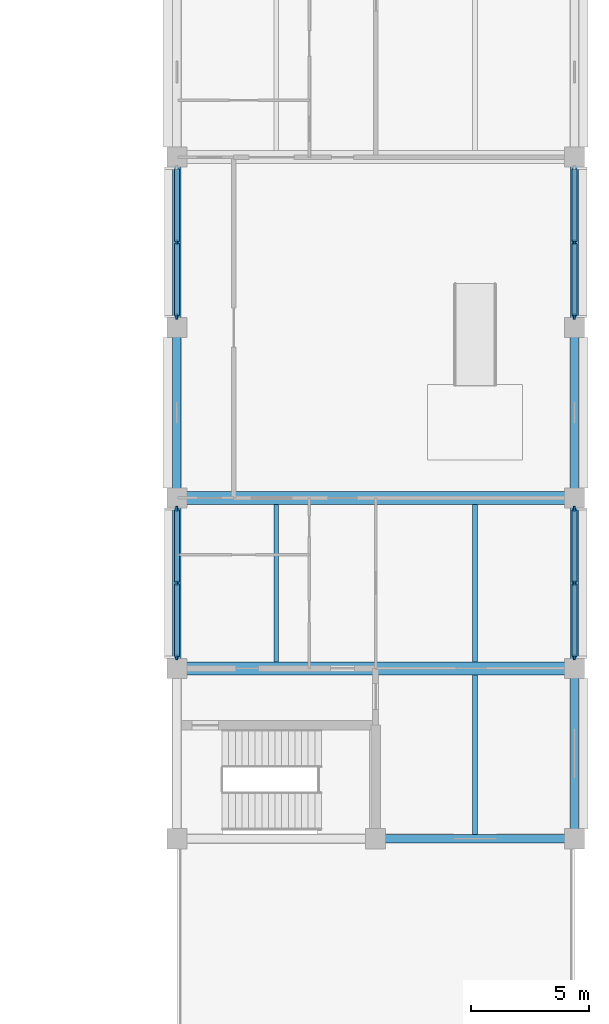
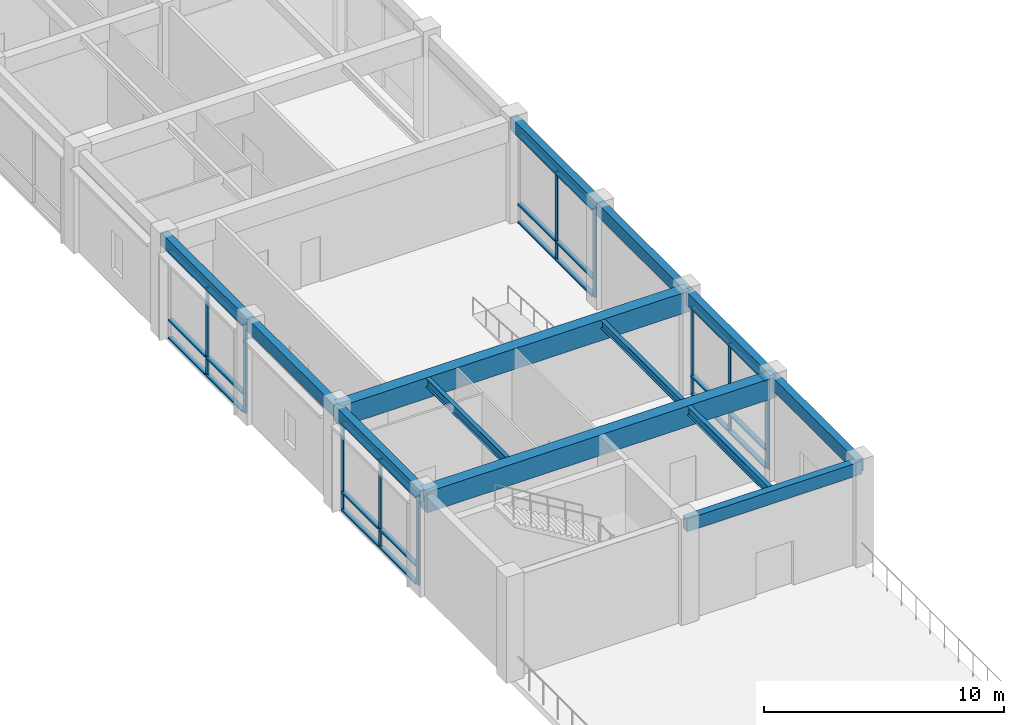
# One storey, part 11 of 51: 34 members, 13 beams, 4 elements without a shape of their own.
"""IFC4 building model written with IfcOpenShell, lengths in metres."""

from ifc_helpers import new_model, si_unit, direction, frame, origin, origin_2d, place, context, subcontext, project, spatial, rectangle, i_section, extrude, material, layer, layer_set, material_profile, profile_set, type_object, element, aggregate, save


model = new_model("IFC4")

# Units and contexts
model_context = context("Model", 3, precision=1e-05, world=origin(), true_north=direction((0.0, 1.0)))
body_context = subcontext(model_context, "Body", "Model", "MODEL_VIEW")
ifc_project = project(units=[si_unit("LENGTHUNIT", "METRE"), si_unit("AREAUNIT", "SQUARE_METRE"), si_unit("VOLUMEUNIT", "CUBIC_METRE"), si_unit("PLANEANGLEUNIT", "RADIAN"), si_unit("MASSUNIT", "GRAM", prefix="KILO")], contexts=[model_context])

# Site, building, storey
site_placement = place(None, origin())
site = spatial("IfcSite", under=ifc_project, at=site_placement, CompositionType="ELEMENT")
building_placement = place(site_placement, origin())
building = spatial("IfcBuilding", under=site, at=building_placement, Name="Chengyuan Square Courthouse", CompositionType="ELEMENT")
storey_placement = place(building_placement, frame((0.0, 0.0, 10.800048828125)))
storey = spatial("IfcBuildingStorey", under=building, at=storey_placement, Name="L03", CompositionType="ELEMENT", Elevation=10.800048828125)

# Beams
ifc_material_1 = material(Name="Concrete C40", Category="concrete")
ifc_material_profile_1 = material_profile(ifc_material_1, rectangle(XDim=0.35009765625, YDim=0.64990234375, at=origin_2d()), Name="RC-BM-350x650")
ifc_profile_set_1 = profile_set([ifc_material_profile_1], Name="Concrete C40")
beam_type_1 = type_object("IfcBeamType", Name="BM-03", PredefinedType="SPANDREL", material=ifc_profile_set_1)
beam_1_placement = place(storey_placement, frame((159.60009765625, 36.0, 4.794921875), z_axis=(1.0, 0.0, 0.0), x_axis=(0.0, 1.0, 0.0)))
element("IfcBeam", 1, at=beam_1_placement, inside=storey, type_object=beam_type_1, Name="Girder BM-L03-2511", PredefinedType="SPANDREL", context=body_context, shape_type="SweptSolid", body=[
    extrude(rectangle(XDim=0.35009765625, YDim=0.64990234375, at=origin_2d()), origin(), (0.0, 0.0, 1.0), 8.39990234375),
])
beam_2_placement = place(storey_placement, frame((151.199951171875, 43.199951171875, 4.794921875), z_axis=(0.0, 1.0, 0.0), x_axis=(-1.0, 0.0, 0.0)))
element("IfcBeam", 2, at=beam_2_placement, inside=storey, type_object=beam_type_1, Name="Girder BM-L03-2730", PredefinedType="SPANDREL", context=body_context, shape_type="SweptSolid", body=[
    extrude(rectangle(XDim=0.35009765625, YDim=0.64990234375, at=origin_2d()), origin(), (0.0, 0.0, 1.0), 7.199951171875),
])
beam_3_placement = place(storey_placement, frame((151.199951171875, 50.39990234375, 4.794921875), z_axis=(0.0, 1.0, 0.0), x_axis=(-1.0, 0.0, 0.0)))
element("IfcBeam", 3, at=beam_3_placement, inside=storey, type_object=beam_type_1, Name="Girder BM-L03-2731", PredefinedType="SPANDREL", context=body_context, shape_type="SweptSolid", body=[
    extrude(rectangle(XDim=0.35009765625, YDim=0.64990234375, at=origin_2d()), origin(), (0.0, 0.0, 1.0), 7.2001953125),
])
for number, where, z_axis, x_axis, name in (
    (4, (151.199951171875, 57.60009765625, 4.794921875), (0.0, 1.0, 0.0), (-1.0, 0.0, 0.0), "Girder BM-L03-2732"),
    (5, (168.0, 36.0, 4.794921875), (0.0, 1.0, 0.0), (-1.0, 0.0, 0.0), "Girder BM-L03-2743"),
    (6, (168.0, 43.199951171875, 4.794921875), (0.0, 1.0, 0.0), (-1.0, 0.0, 0.0), "Girder BM-L03-2744"),
):
    element("IfcBeam", number, at=place(storey_placement, frame(where, z_axis=z_axis, x_axis=x_axis)), inside=storey, type_object=beam_type_1, Name=name, PredefinedType="SPANDREL", context=body_context, shape_type="SweptSolid", body=[
        extrude(rectangle(XDim=0.35009765625, YDim=0.64990234375, at=origin_2d()), origin(), (0.0, 0.0, 1.0), 7.199951171875),
    ])
beam_4_placement = place(storey_placement, frame((168.0, 50.39990234375, 4.794921875), z_axis=(0.0, 1.0, 0.0), x_axis=(-1.0, 0.0, 0.0)))
element("IfcBeam", 7, at=beam_4_placement, inside=storey, type_object=beam_type_1, Name="Girder BM-L03-2745", PredefinedType="SPANDREL", context=body_context, shape_type="SweptSolid", body=[
    extrude(rectangle(XDim=0.35009765625, YDim=0.64990234375, at=origin_2d()), origin(), (0.0, 0.0, 1.0), 7.2001953125),
])
beam_5_placement = place(storey_placement, frame((168.0, 57.60009765625, 4.794921875), z_axis=(0.0, 1.0, 0.0), x_axis=(-1.0, 0.0, 0.0)))
element("IfcBeam", 8, at=beam_5_placement, inside=storey, type_object=beam_type_1, Name="Girder BM-L03-2746", PredefinedType="SPANDREL", context=body_context, shape_type="SweptSolid", body=[
    extrude(rectangle(XDim=0.35009765625, YDim=0.64990234375, at=origin_2d()), origin(), (0.0, 0.0, 1.0), 7.199951171875),
])
ifc_material_2 = material(Name="Steel Q355B", Category="steel")
ifc_material_profile_2 = material_profile(ifc_material_2, i_section(OverallWidth=0.199951171875, OverallDepth=0.449951171875, WebThickness=0.009033203125, FlangeThickness=0.013916015625, at=origin_2d()), Name="HN 450x200x9x14")
ifc_profile_set_2 = profile_set([ifc_material_profile_2], Name="Steel Q355B")
beam_type_2 = type_object("IfcBeamType", Name="BM-06", PredefinedType="BEAM", material=ifc_profile_set_2)
beam_6_placement = place(storey_placement, frame((155.39990234375, 43.47509765625, 4.89501953125), z_axis=(0.0, 1.0, 0.0), x_axis=(-1.0, 0.0, 0.0)))
element("IfcBeam", 9, at=beam_6_placement, inside=storey, type_object=beam_type_2, Name="Secondary Floor Beam SBM-L03-2828", PredefinedType="BEAM", context=body_context, shape_type="SweptSolid", body=[
    extrude(i_section(OverallWidth=0.199951171875, OverallDepth=0.449951171875, WebThickness=0.009033203125, FlangeThickness=0.013916015625, at=origin_2d()), origin(), (0.0, 0.0, 1.0), 6.64990234375),
])
beam_7_placement = place(storey_placement, frame((163.800048828125, 36.175048828125, 4.89501953125), z_axis=(0.0, 1.0, 0.0), x_axis=(-1.0, 0.0, 0.0)))
element("IfcBeam", 10, at=beam_7_placement, inside=storey, type_object=beam_type_2, Name="Secondary Floor Beam SBM-L03-2835", PredefinedType="BEAM", context=body_context, shape_type="SweptSolid", body=[
    extrude(i_section(OverallWidth=0.199951171875, OverallDepth=0.449951171875, WebThickness=0.009033203125, FlangeThickness=0.013916015625, at=origin_2d()), origin(), (0.0, 0.0, 1.0), 6.75),
])
ifc_material_profile_3 = material_profile(ifc_material_2, i_section(OverallWidth=0.199951171875, OverallDepth=0.39990234375, WebThickness=0.008056640625, FlangeThickness=0.012939453125, at=origin_2d()), Name="HN 400x200x8x13")
ifc_profile_set_3 = profile_set([ifc_material_profile_3], Name="Steel Q355B")
beam_type_3 = type_object("IfcBeamType", Name="BM-07", PredefinedType="BEAM", material=ifc_profile_set_3)
beam_8_placement = place(storey_placement, frame((163.800048828125, 43.47509765625, 4.919921875), z_axis=(0.0, 1.0, 0.0), x_axis=(-1.0, 0.0, 0.0)))
element("IfcBeam", 11, at=beam_8_placement, inside=storey, type_object=beam_type_3, Name="Secondary Floor Beam SBM-L03-2836", PredefinedType="BEAM", context=body_context, shape_type="SweptSolid", body=[
    extrude(i_section(OverallWidth=0.199951171875, OverallDepth=0.39990234375, WebThickness=0.008056640625, FlangeThickness=0.012939453125, at=origin_2d()), origin(), (0.0, 0.0, 1.0), 6.64990234375),
])

# Curtain wall, members
ifc_material_3 = material(Name="Unitised Aluminium and Triple Low-E Glass", Category="aluminium")
ifc_layer = layer(ifc_material_3, 0.219970703125)
ifc_layer_set = layer_set([ifc_layer], Name="Unitised Aluminium and Triple Low-E Glass")
curtain_wall_type = type_object("IfcCurtainWallType", Name="CW-20", PredefinedType="USERDEFINED", material=ifc_layer_set)
curtain_wall_1_placement = place(storey_placement, origin())
curtain_wall_1 = element("IfcCurtainWall", 12, at=curtain_wall_1_placement, inside=storey, type_object=curtain_wall_type, Name="Unitised Curtain Wall CW-L03-119", ObjectType="UNITISED CURTAIN WALL", PredefinedType="USERDEFINED")
ifc_material_4 = material(Name="Aluminium 6063-T6 Frame", Category="aluminium")
ifc_material_profile_4 = material_profile(ifc_material_4, rectangle(XDim=0.080078125, YDim=0.219970703125, at=origin_2d()), Name="CW-MUL-80x220")
ifc_profile_set_4 = profile_set([ifc_material_profile_4], Name="Aluminium 6063-T6 Frame")
member_type_1 = type_object("IfcMemberType", Name="CWM-04", PredefinedType="MULLION", material=ifc_profile_set_4)
member_1_placement = place(storey_placement, frame((151.199951171875, 43.6650390625, 0.0), z_axis=(0.0, 0.0, 1.0), x_axis=(-1.0, 0.0, 0.0)))
member_1 = element("IfcMember", 13, at=member_1_placement, type_object=member_type_1, Name="CW-20 mullion 1", PredefinedType="MULLION", context=body_context, shape_type="SweptSolid", body=[
    extrude(rectangle(XDim=0.080078125, YDim=0.219970703125, at=origin_2d()), origin(), (0.0, 0.0, 1.0), 4.469970703125),
])
member_2_placement = place(storey_placement, frame((151.199951171875, 46.800048828125, 0.0), z_axis=(0.0, 0.0, 1.0), x_axis=(-1.0, 0.0, 0.0)))
member_2 = element("IfcMember", 14, at=member_2_placement, type_object=member_type_1, Name="CW-20 mullion 2", PredefinedType="MULLION", context=body_context, shape_type="SweptSolid", body=[
    extrude(rectangle(XDim=0.080078125, YDim=0.219970703125, at=origin_2d()), origin(), (0.0, 0.0, 1.0), 4.469970703125),
])
member_3_placement = place(storey_placement, frame((151.199951171875, 49.93505859375, 0.0), z_axis=(0.0, 0.0, 1.0), x_axis=(-1.0, 0.0, 0.0)))
member_3 = element("IfcMember", 15, at=member_3_placement, type_object=member_type_1, Name="CW-20 mullion 3", PredefinedType="MULLION", context=body_context, shape_type="SweptSolid", body=[
    extrude(rectangle(XDim=0.080078125, YDim=0.219970703125, at=origin_2d()), origin(), (0.0, 0.0, 1.0), 4.469970703125),
])

curtain_wall_2_placement = place(storey_placement, origin())
curtain_wall_2 = element("IfcCurtainWall", 16, at=curtain_wall_2_placement, inside=storey, type_object=curtain_wall_type, Name="Unitised Curtain Wall CW-L03-120", ObjectType="UNITISED CURTAIN WALL", PredefinedType="USERDEFINED")
member_4_placement = place(storey_placement, frame((151.199951171875, 58.06494140625, 0.0), z_axis=(0.0, 0.0, 1.0), x_axis=(-1.0, 0.0, 0.0)))
member_4 = element("IfcMember", 17, at=member_4_placement, type_object=member_type_1, Name="CW-20 mullion 1", PredefinedType="MULLION", context=body_context, shape_type="SweptSolid", body=[
    extrude(rectangle(XDim=0.080078125, YDim=0.219970703125, at=origin_2d()), origin(), (0.0, 0.0, 1.0), 4.469970703125),
])
member_5_placement = place(storey_placement, frame((151.199951171875, 61.199951171875, 0.0), z_axis=(0.0, 0.0, 1.0), x_axis=(-1.0, 0.0, 0.0)))
member_5 = element("IfcMember", 18, at=member_5_placement, type_object=member_type_1, Name="CW-20 mullion 2", PredefinedType="MULLION", context=body_context, shape_type="SweptSolid", body=[
    extrude(rectangle(XDim=0.080078125, YDim=0.219970703125, at=origin_2d()), origin(), (0.0, 0.0, 1.0), 4.469970703125),
])

curtain_wall_3_placement = place(storey_placement, origin())
curtain_wall_3 = element("IfcCurtainWall", 19, at=curtain_wall_3_placement, inside=storey, type_object=curtain_wall_type, Name="Unitised Curtain Wall CW-L03-123", ObjectType="UNITISED CURTAIN WALL", PredefinedType="USERDEFINED")
member_6_placement = place(storey_placement, frame((168.0, 43.6650390625, 0.0), z_axis=(0.0, 0.0, 1.0), x_axis=(-1.0, 0.0, 0.0)))
member_6 = element("IfcMember", 20, at=member_6_placement, type_object=member_type_1, Name="CW-20 mullion 1", PredefinedType="MULLION", context=body_context, shape_type="SweptSolid", body=[
    extrude(rectangle(XDim=0.080078125, YDim=0.219970703125, at=origin_2d()), origin(), (0.0, 0.0, 1.0), 4.469970703125),
])
member_7_placement = place(storey_placement, frame((168.0, 46.800048828125, 0.0), z_axis=(0.0, 0.0, 1.0), x_axis=(-1.0, 0.0, 0.0)))
member_7 = element("IfcMember", 21, at=member_7_placement, type_object=member_type_1, Name="CW-20 mullion 2", PredefinedType="MULLION", context=body_context, shape_type="SweptSolid", body=[
    extrude(rectangle(XDim=0.080078125, YDim=0.219970703125, at=origin_2d()), origin(), (0.0, 0.0, 1.0), 4.469970703125),
])
member_8_placement = place(storey_placement, frame((168.0, 49.93505859375, 0.0), z_axis=(0.0, 0.0, 1.0), x_axis=(-1.0, 0.0, 0.0)))
member_8 = element("IfcMember", 22, at=member_8_placement, type_object=member_type_1, Name="CW-20 mullion 3", PredefinedType="MULLION", context=body_context, shape_type="SweptSolid", body=[
    extrude(rectangle(XDim=0.080078125, YDim=0.219970703125, at=origin_2d()), origin(), (0.0, 0.0, 1.0), 4.469970703125),
])

curtain_wall_4_placement = place(storey_placement, origin())
curtain_wall_4 = element("IfcCurtainWall", 23, at=curtain_wall_4_placement, inside=storey, type_object=curtain_wall_type, Name="Unitised Curtain Wall CW-L03-124", ObjectType="UNITISED CURTAIN WALL", PredefinedType="USERDEFINED")
member_9_placement = place(storey_placement, frame((168.0, 58.06494140625, 0.0), z_axis=(0.0, 0.0, 1.0), x_axis=(-1.0, 0.0, 0.0)))
member_9 = element("IfcMember", 24, at=member_9_placement, type_object=member_type_1, Name="CW-20 mullion 1", PredefinedType="MULLION", context=body_context, shape_type="SweptSolid", body=[
    extrude(rectangle(XDim=0.080078125, YDim=0.219970703125, at=origin_2d()), origin(), (0.0, 0.0, 1.0), 4.469970703125),
])
member_10_placement = place(storey_placement, frame((168.0, 61.199951171875, 0.0), z_axis=(0.0, 0.0, 1.0), x_axis=(-1.0, 0.0, 0.0)))
member_10 = element("IfcMember", 25, at=member_10_placement, type_object=member_type_1, Name="CW-20 mullion 2", PredefinedType="MULLION", context=body_context, shape_type="SweptSolid", body=[
    extrude(rectangle(XDim=0.080078125, YDim=0.219970703125, at=origin_2d()), origin(), (0.0, 0.0, 1.0), 4.469970703125),
])

# Member
ifc_material_profile_5 = material_profile(ifc_material_4, rectangle(XDim=0.219970703125, YDim=0.080078125, at=origin_2d()), Name="CW-TRN-80x180")
ifc_profile_set_5 = profile_set([ifc_material_profile_5], Name="Aluminium 6063-T6 Frame")
member_type_2 = type_object("IfcMemberType", Name="CWT-04", PredefinedType="USERDEFINED", material=ifc_profile_set_5)
member_11_placement = place(storey_placement, frame((151.199951171875, 43.705078125, 0.0400390625), z_axis=(0.0, 1.0, 0.0), x_axis=(-1.0, 0.0, 0.0)))
member_11 = element("IfcMember", 26, at=member_11_placement, type_object=member_type_2, Name="CW-20 transom 1.1", ObjectType="TRANSOM", PredefinedType="USERDEFINED", context=body_context, shape_type="SweptSolid", body=[
    extrude(rectangle(XDim=0.219970703125, YDim=0.080078125, at=origin_2d()), origin(), (0.0, 0.0, 1.0), 3.054931640625),
])

member_12_placement = place(storey_placement, frame((151.199951171875, 43.705078125, 0.949951171875), z_axis=(0.0, 1.0, 0.0), x_axis=(-1.0, 0.0, 0.0)))
member_12 = element("IfcMember", 27, at=member_12_placement, type_object=member_type_2, Name="CW-20 transom 1.2", ObjectType="TRANSOM", PredefinedType="USERDEFINED", context=body_context, shape_type="SweptSolid", body=[
    extrude(rectangle(XDim=0.219970703125, YDim=0.080078125, at=origin_2d()), origin(), (0.0, 0.0, 1.0), 3.054931640625),
])

member_13_placement = place(storey_placement, frame((151.199951171875, 43.705078125, 4.429931640625), z_axis=(0.0, 1.0, 0.0), x_axis=(-1.0, 0.0, 0.0)))
member_13 = element("IfcMember", 28, at=member_13_placement, type_object=member_type_2, Name="CW-20 transom 1.3", ObjectType="TRANSOM", PredefinedType="USERDEFINED", context=body_context, shape_type="SweptSolid", body=[
    extrude(rectangle(XDim=0.219970703125, YDim=0.080078125, at=origin_2d()), origin(), (0.0, 0.0, 1.0), 3.054931640625),
])

member_14_placement = place(storey_placement, frame((151.199951171875, 46.840087890625, 0.0400390625), z_axis=(0.0, 1.0, 0.0), x_axis=(-1.0, 0.0, 0.0)))
member_14 = element("IfcMember", 29, at=member_14_placement, type_object=member_type_2, Name="CW-20 transom 2.1", ObjectType="TRANSOM", PredefinedType="USERDEFINED", context=body_context, shape_type="SweptSolid", body=[
    extrude(rectangle(XDim=0.219970703125, YDim=0.080078125, at=origin_2d()), origin(), (0.0, 0.0, 1.0), 3.054931640625),
])

member_15_placement = place(storey_placement, frame((151.199951171875, 46.840087890625, 0.949951171875), z_axis=(0.0, 1.0, 0.0), x_axis=(-1.0, 0.0, 0.0)))
member_15 = element("IfcMember", 30, at=member_15_placement, type_object=member_type_2, Name="CW-20 transom 2.2", ObjectType="TRANSOM", PredefinedType="USERDEFINED", context=body_context, shape_type="SweptSolid", body=[
    extrude(rectangle(XDim=0.219970703125, YDim=0.080078125, at=origin_2d()), origin(), (0.0, 0.0, 1.0), 3.054931640625),
])

member_16_placement = place(storey_placement, frame((151.199951171875, 46.840087890625, 4.429931640625), z_axis=(0.0, 1.0, 0.0), x_axis=(-1.0, 0.0, 0.0)))
member_16 = element("IfcMember", 31, at=member_16_placement, type_object=member_type_2, Name="CW-20 transom 2.3", ObjectType="TRANSOM", PredefinedType="USERDEFINED", context=body_context, shape_type="SweptSolid", body=[
    extrude(rectangle(XDim=0.219970703125, YDim=0.080078125, at=origin_2d()), origin(), (0.0, 0.0, 1.0), 3.054931640625),
])

aggregate(curtain_wall_1, [member_1, member_2, member_3, member_11, member_12, member_13, member_14, member_15, member_16])

member_17_placement = place(storey_placement, frame((151.199951171875, 58.10498046875, 0.0400390625), z_axis=(0.0, 1.0, 0.0), x_axis=(-1.0, 0.0, 0.0)))
member_17 = element("IfcMember", 32, at=member_17_placement, type_object=member_type_2, Name="CW-20 transom 1.1", ObjectType="TRANSOM", PredefinedType="USERDEFINED", context=body_context, shape_type="SweptSolid", body=[
    extrude(rectangle(XDim=0.219970703125, YDim=0.080078125, at=origin_2d()), origin(), (0.0, 0.0, 1.0), 3.054931640625),
])

member_18_placement = place(storey_placement, frame((151.199951171875, 58.10498046875, 0.949951171875), z_axis=(0.0, 1.0, 0.0), x_axis=(-1.0, 0.0, 0.0)))
member_18 = element("IfcMember", 33, at=member_18_placement, type_object=member_type_2, Name="CW-20 transom 1.2", ObjectType="TRANSOM", PredefinedType="USERDEFINED", context=body_context, shape_type="SweptSolid", body=[
    extrude(rectangle(XDim=0.219970703125, YDim=0.080078125, at=origin_2d()), origin(), (0.0, 0.0, 1.0), 3.054931640625),
])

member_19_placement = place(storey_placement, frame((151.199951171875, 58.10498046875, 4.429931640625), z_axis=(0.0, 1.0, 0.0), x_axis=(-1.0, 0.0, 0.0)))
member_19 = element("IfcMember", 34, at=member_19_placement, type_object=member_type_2, Name="CW-20 transom 1.3", ObjectType="TRANSOM", PredefinedType="USERDEFINED", context=body_context, shape_type="SweptSolid", body=[
    extrude(rectangle(XDim=0.219970703125, YDim=0.080078125, at=origin_2d()), origin(), (0.0, 0.0, 1.0), 3.054931640625),
])

member_20_placement = place(storey_placement, frame((151.199951171875, 61.239990234375, 0.0400390625), z_axis=(0.0, 1.0, 0.0), x_axis=(-1.0, 0.0, 0.0)))
member_20 = element("IfcMember", 35, at=member_20_placement, type_object=member_type_2, Name="CW-20 transom 2.1", ObjectType="TRANSOM", PredefinedType="USERDEFINED", context=body_context, shape_type="SweptSolid", body=[
    extrude(rectangle(XDim=0.219970703125, YDim=0.080078125, at=origin_2d()), origin(), (0.0, 0.0, 1.0), 3.054931640625),
])

member_21_placement = place(storey_placement, frame((151.199951171875, 61.239990234375, 0.949951171875), z_axis=(0.0, 1.0, 0.0), x_axis=(-1.0, 0.0, 0.0)))
member_21 = element("IfcMember", 36, at=member_21_placement, type_object=member_type_2, Name="CW-20 transom 2.2", ObjectType="TRANSOM", PredefinedType="USERDEFINED", context=body_context, shape_type="SweptSolid", body=[
    extrude(rectangle(XDim=0.219970703125, YDim=0.080078125, at=origin_2d()), origin(), (0.0, 0.0, 1.0), 3.054931640625),
])

member_22_placement = place(storey_placement, frame((151.199951171875, 61.239990234375, 4.429931640625), z_axis=(0.0, 1.0, 0.0), x_axis=(-1.0, 0.0, 0.0)))
member_22 = element("IfcMember", 37, at=member_22_placement, type_object=member_type_2, Name="CW-20 transom 2.3", ObjectType="TRANSOM", PredefinedType="USERDEFINED", context=body_context, shape_type="SweptSolid", body=[
    extrude(rectangle(XDim=0.219970703125, YDim=0.080078125, at=origin_2d()), origin(), (0.0, 0.0, 1.0), 3.054931640625),
])

aggregate(curtain_wall_2, [member_4, member_5, member_17, member_18, member_19, member_20, member_21, member_22])

member_23_placement = place(storey_placement, frame((168.0, 43.705078125, 0.0400390625), z_axis=(0.0, 1.0, 0.0), x_axis=(-1.0, 0.0, 0.0)))
member_23 = element("IfcMember", 38, at=member_23_placement, type_object=member_type_2, Name="CW-20 transom 1.1", ObjectType="TRANSOM", PredefinedType="USERDEFINED", context=body_context, shape_type="SweptSolid", body=[
    extrude(rectangle(XDim=0.219970703125, YDim=0.080078125, at=origin_2d()), origin(), (0.0, 0.0, 1.0), 3.054931640625),
])

member_24_placement = place(storey_placement, frame((168.0, 43.705078125, 0.949951171875), z_axis=(0.0, 1.0, 0.0), x_axis=(-1.0, 0.0, 0.0)))
member_24 = element("IfcMember", 39, at=member_24_placement, type_object=member_type_2, Name="CW-20 transom 1.2", ObjectType="TRANSOM", PredefinedType="USERDEFINED", context=body_context, shape_type="SweptSolid", body=[
    extrude(rectangle(XDim=0.219970703125, YDim=0.080078125, at=origin_2d()), origin(), (0.0, 0.0, 1.0), 3.054931640625),
])

member_25_placement = place(storey_placement, frame((168.0, 43.705078125, 4.429931640625), z_axis=(0.0, 1.0, 0.0), x_axis=(-1.0, 0.0, 0.0)))
member_25 = element("IfcMember", 40, at=member_25_placement, type_object=member_type_2, Name="CW-20 transom 1.3", ObjectType="TRANSOM", PredefinedType="USERDEFINED", context=body_context, shape_type="SweptSolid", body=[
    extrude(rectangle(XDim=0.219970703125, YDim=0.080078125, at=origin_2d()), origin(), (0.0, 0.0, 1.0), 3.054931640625),
])

member_26_placement = place(storey_placement, frame((168.0, 46.840087890625, 0.0400390625), z_axis=(0.0, 1.0, 0.0), x_axis=(-1.0, 0.0, 0.0)))
member_26 = element("IfcMember", 41, at=member_26_placement, type_object=member_type_2, Name="CW-20 transom 2.1", ObjectType="TRANSOM", PredefinedType="USERDEFINED", context=body_context, shape_type="SweptSolid", body=[
    extrude(rectangle(XDim=0.219970703125, YDim=0.080078125, at=origin_2d()), origin(), (0.0, 0.0, 1.0), 3.054931640625),
])

member_27_placement = place(storey_placement, frame((168.0, 46.840087890625, 0.949951171875), z_axis=(0.0, 1.0, 0.0), x_axis=(-1.0, 0.0, 0.0)))
member_27 = element("IfcMember", 42, at=member_27_placement, type_object=member_type_2, Name="CW-20 transom 2.2", ObjectType="TRANSOM", PredefinedType="USERDEFINED", context=body_context, shape_type="SweptSolid", body=[
    extrude(rectangle(XDim=0.219970703125, YDim=0.080078125, at=origin_2d()), origin(), (0.0, 0.0, 1.0), 3.054931640625),
])

member_28_placement = place(storey_placement, frame((168.0, 46.840087890625, 4.429931640625), z_axis=(0.0, 1.0, 0.0), x_axis=(-1.0, 0.0, 0.0)))
member_28 = element("IfcMember", 43, at=member_28_placement, type_object=member_type_2, Name="CW-20 transom 2.3", ObjectType="TRANSOM", PredefinedType="USERDEFINED", context=body_context, shape_type="SweptSolid", body=[
    extrude(rectangle(XDim=0.219970703125, YDim=0.080078125, at=origin_2d()), origin(), (0.0, 0.0, 1.0), 3.054931640625),
])

aggregate(curtain_wall_3, [member_6, member_7, member_8, member_23, member_24, member_25, member_26, member_27, member_28])

member_29_placement = place(storey_placement, frame((168.0, 58.10498046875, 0.0400390625), z_axis=(0.0, 1.0, 0.0), x_axis=(-1.0, 0.0, 0.0)))
member_29 = element("IfcMember", 44, at=member_29_placement, type_object=member_type_2, Name="CW-20 transom 1.1", ObjectType="TRANSOM", PredefinedType="USERDEFINED", context=body_context, shape_type="SweptSolid", body=[
    extrude(rectangle(XDim=0.219970703125, YDim=0.080078125, at=origin_2d()), origin(), (0.0, 0.0, 1.0), 3.054931640625),
])

member_30_placement = place(storey_placement, frame((168.0, 58.10498046875, 0.949951171875), z_axis=(0.0, 1.0, 0.0), x_axis=(-1.0, 0.0, 0.0)))
member_30 = element("IfcMember", 45, at=member_30_placement, type_object=member_type_2, Name="CW-20 transom 1.2", ObjectType="TRANSOM", PredefinedType="USERDEFINED", context=body_context, shape_type="SweptSolid", body=[
    extrude(rectangle(XDim=0.219970703125, YDim=0.080078125, at=origin_2d()), origin(), (0.0, 0.0, 1.0), 3.054931640625),
])

member_31_placement = place(storey_placement, frame((168.0, 58.10498046875, 4.429931640625), z_axis=(0.0, 1.0, 0.0), x_axis=(-1.0, 0.0, 0.0)))
member_31 = element("IfcMember", 46, at=member_31_placement, type_object=member_type_2, Name="CW-20 transom 1.3", ObjectType="TRANSOM", PredefinedType="USERDEFINED", context=body_context, shape_type="SweptSolid", body=[
    extrude(rectangle(XDim=0.219970703125, YDim=0.080078125, at=origin_2d()), origin(), (0.0, 0.0, 1.0), 3.054931640625),
])

member_32_placement = place(storey_placement, frame((168.0, 61.239990234375, 0.0400390625), z_axis=(0.0, 1.0, 0.0), x_axis=(-1.0, 0.0, 0.0)))
member_32 = element("IfcMember", 47, at=member_32_placement, type_object=member_type_2, Name="CW-20 transom 2.1", ObjectType="TRANSOM", PredefinedType="USERDEFINED", context=body_context, shape_type="SweptSolid", body=[
    extrude(rectangle(XDim=0.219970703125, YDim=0.080078125, at=origin_2d()), origin(), (0.0, 0.0, 1.0), 3.054931640625),
])

member_33_placement = place(storey_placement, frame((168.0, 61.239990234375, 0.949951171875), z_axis=(0.0, 1.0, 0.0), x_axis=(-1.0, 0.0, 0.0)))
member_33 = element("IfcMember", 48, at=member_33_placement, type_object=member_type_2, Name="CW-20 transom 2.2", ObjectType="TRANSOM", PredefinedType="USERDEFINED", context=body_context, shape_type="SweptSolid", body=[
    extrude(rectangle(XDim=0.219970703125, YDim=0.080078125, at=origin_2d()), origin(), (0.0, 0.0, 1.0), 3.054931640625),
])

member_34_placement = place(storey_placement, frame((168.0, 61.239990234375, 4.429931640625), z_axis=(0.0, 1.0, 0.0), x_axis=(-1.0, 0.0, 0.0)))
member_34 = element("IfcMember", 49, at=member_34_placement, type_object=member_type_2, Name="CW-20 transom 2.3", ObjectType="TRANSOM", PredefinedType="USERDEFINED", context=body_context, shape_type="SweptSolid", body=[
    extrude(rectangle(XDim=0.219970703125, YDim=0.080078125, at=origin_2d()), origin(), (0.0, 0.0, 1.0), 3.054931640625),
])

aggregate(curtain_wall_4, [member_9, member_10, member_29, member_30, member_31, member_32, member_33, member_34])

# Beams
ifc_material_5 = material(Name="Post-tensioned Concrete C50", Category="concrete")
ifc_material_profile_6 = material_profile(ifc_material_5, rectangle(XDim=0.550048828125, YDim=1.050048828125, at=origin_2d()), Name="PT-BM-550x1050")
ifc_profile_set_6 = profile_set([ifc_material_profile_6], Name="Post-tensioned Concrete C50")
beam_type_4 = type_object("IfcBeamType", Name="PT-01", PredefinedType="USERDEFINED", material=ifc_profile_set_6)
for number, where, z_axis, x_axis, name in (
    (50, (151.199951171875, 43.199951171875, 4.594970703125), (1.0, 0.0, 0.0), (0.0, 1.0, 0.0), "Girder BM-L03-2513"),
    (51, (151.199951171875, 50.39990234375, 4.594970703125), (1.0, 0.0, 0.0), (0.0, 1.0, 0.0), "Girder BM-L03-2515"),
):
    element("IfcBeam", number, at=place(storey_placement, frame(where, z_axis=z_axis, x_axis=x_axis)), inside=storey, type_object=beam_type_4, Name=name, ObjectType="GIRDER", PredefinedType="USERDEFINED", context=body_context, shape_type="SweptSolid", body=[
        extrude(rectangle(XDim=0.550048828125, YDim=1.050048828125, at=origin_2d()), origin(), (0.0, 0.0, 1.0), 16.800048828125),
    ])

save(model, "model.ifc")
